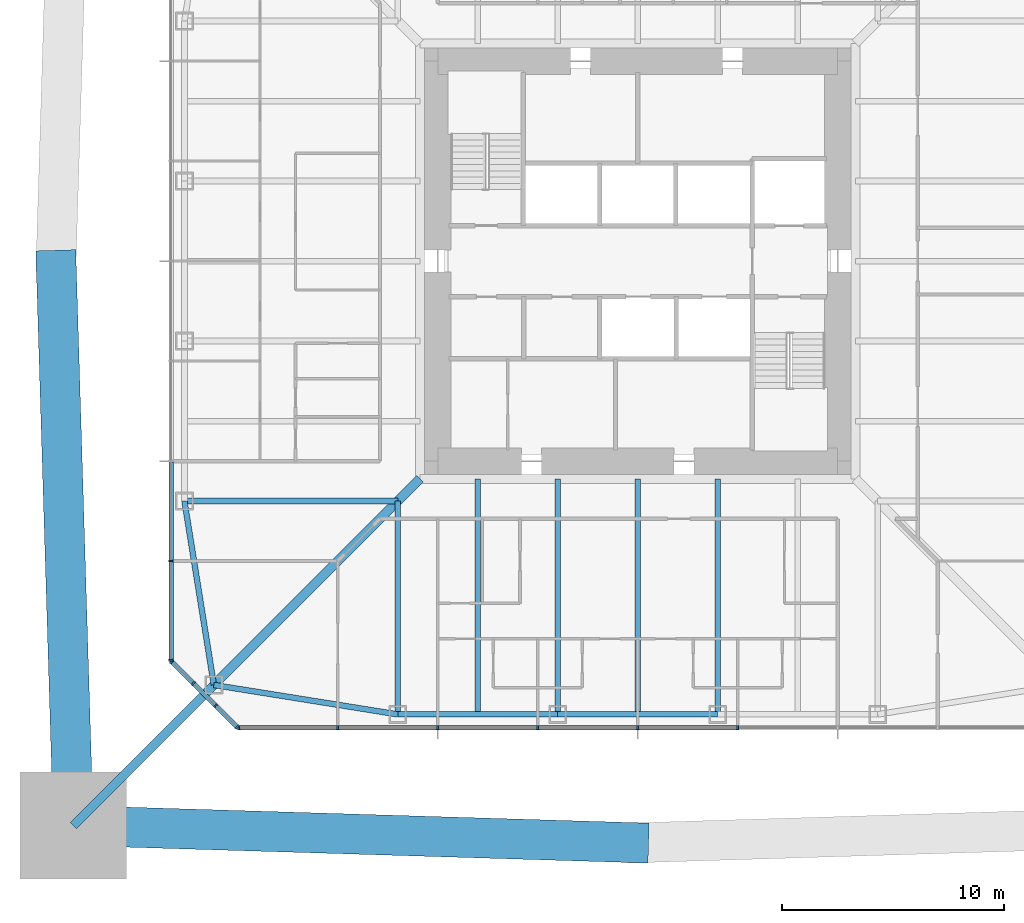
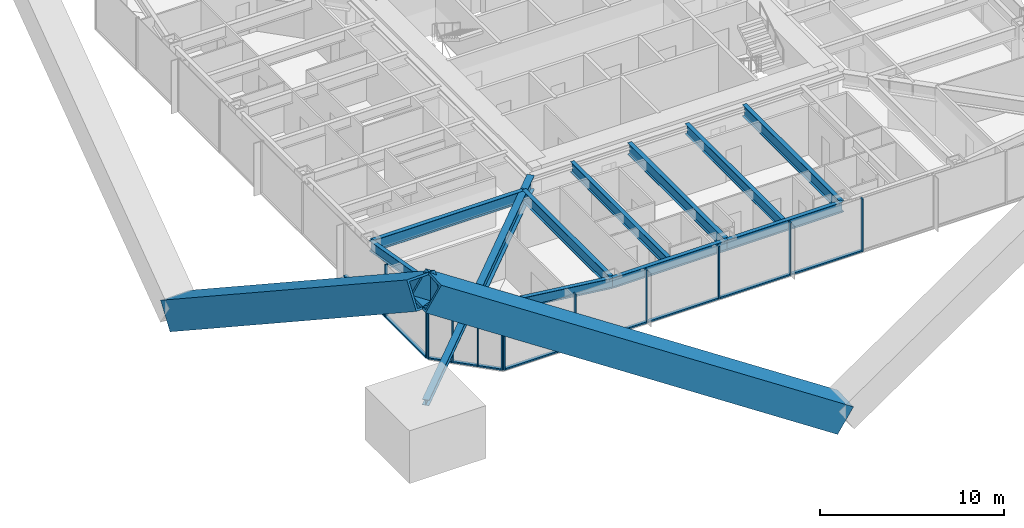
# One storey, part 3 of 28: 25 members, 11 beams, 3 elements without a shape of their own.
"""IFC4 building model written with IfcOpenShell, lengths in metres."""

from ifc_helpers import new_model, si_unit, direction, frame, origin, origin_2d, place, context, subcontext, project, spatial, rectangle, hollow_rectangle, i_section, extrude, material, material_profile, profile_set, type_object, element, aggregate, save


model = new_model("IFC4")

# Units and contexts
model_context = context("Model", 3, precision=1e-05, world=origin(), true_north=direction((0.0, 1.0)))
body_context = subcontext(model_context, "Body", "Model", "MODEL_VIEW")
ifc_project = project(units=[si_unit("LENGTHUNIT", "METRE"), si_unit("AREAUNIT", "SQUARE_METRE"), si_unit("VOLUMEUNIT", "CUBIC_METRE"), si_unit("PLANEANGLEUNIT", "RADIAN"), si_unit("MASSUNIT", "GRAM", prefix="KILO")], contexts=[model_context])

# Site, building, storey
site_placement = place(None, origin())
site = spatial("IfcSite", under=ifc_project, at=site_placement, CompositionType="ELEMENT")
building_placement = place(site_placement, origin())
building = spatial("IfcBuilding", under=site, at=building_placement, Name="Iwan Alto Co-Living Towers", CompositionType="ELEMENT")
storey_placement = place(building_placement, frame((0.0, 0.0, 98.0)))
storey = spatial("IfcBuildingStorey", under=building, at=storey_placement, Name="L26", CompositionType="ELEMENT", Elevation=98.0)

# Curtain wall, members
ifc_material_1 = material(Name="Bronze aluminium unitised frame", Category="aluminium")
curtain_wall_type_1 = type_object("IfcCurtainWallType", Name="CURTAIN WALL CW-A", PredefinedType="NOTDEFINED", material=ifc_material_1)
curtain_wall_1_placement = place(storey_placement, origin())
curtain_wall_1 = element("IfcCurtainWall", 1, at=curtain_wall_1_placement, inside=storey, type_object=curtain_wall_type_1, Name="T1 curtain wall S L26", PredefinedType="NOTDEFINED")
ifc_material_2 = material(Name="Aluminium 6063-T6 bronze anodised", Category="aluminium")
ifc_material_profile_1 = material_profile(ifc_material_2, rectangle(XDim=0.199951171875, YDim=0.080078125, at=origin_2d()), Name="AL 80X200")
ifc_profile_set_1 = profile_set([ifc_material_profile_1], Name="Aluminium 6063-T6 bronze anodised")
member_type_1 = type_object("IfcMemberType", Name="CW-A MULLION 80X200", PredefinedType="MULLION", material=ifc_profile_set_1)
member_1_placement = place(storey_placement, frame((-17.9599609375, -21.0, 0.0), z_axis=(0.0, 0.0, 1.0), x_axis=(0.0, 1.0, 0.0)))
member_1 = element("IfcMember", 2, at=member_1_placement, type_object=member_type_1, Name="CW-A mullion 1", PredefinedType="MULLION", context=body_context, shape_type="SweptSolid", body=[
    extrude(rectangle(XDim=0.199951171875, YDim=0.080078125, at=origin_2d()), origin(), (0.0, 0.0, 1.0), 3.5),
])
member_2_placement = place(storey_placement, frame((-13.5, -21.0, 0.0), z_axis=(0.0, 0.0, 1.0), x_axis=(0.0, 1.0, 0.0)))
member_2 = element("IfcMember", 3, at=member_2_placement, type_object=member_type_1, Name="CW-A mullion 2", PredefinedType="MULLION", context=body_context, shape_type="SweptSolid", body=[
    extrude(rectangle(XDim=0.199951171875, YDim=0.080078125, at=origin_2d()), origin(), (0.0, 0.0, 1.0), 3.5),
])
member_3_placement = place(storey_placement, frame((-9.0, -21.0, 0.0), z_axis=(0.0, 0.0, 1.0), x_axis=(0.0, 1.0, 0.0)))
member_3 = element("IfcMember", 4, at=member_3_placement, type_object=member_type_1, Name="CW-A mullion 3", PredefinedType="MULLION", context=body_context, shape_type="SweptSolid", body=[
    extrude(rectangle(XDim=0.199951171875, YDim=0.080078125, at=origin_2d()), origin(), (0.0, 0.0, 1.0), 3.5),
])
member_4_placement = place(storey_placement, frame((-4.5, -21.0, 0.0), z_axis=(0.0, 0.0, 1.0), x_axis=(0.0, 1.0, 0.0)))
member_4 = element("IfcMember", 5, at=member_4_placement, type_object=member_type_1, Name="CW-A mullion 4", PredefinedType="MULLION", context=body_context, shape_type="SweptSolid", body=[
    extrude(rectangle(XDim=0.199951171875, YDim=0.080078125, at=origin_2d()), origin(), (0.0, 0.0, 1.0), 3.5),
])
member_5_placement = place(storey_placement, frame((0.0, -21.0, 0.0), z_axis=(0.0, 0.0, 1.0), x_axis=(0.0, 1.0, 0.0)))
member_5 = element("IfcMember", 6, at=member_5_placement, type_object=member_type_1, Name="CW-A mullion 5", PredefinedType="MULLION", context=body_context, shape_type="SweptSolid", body=[
    extrude(rectangle(XDim=0.199951171875, YDim=0.080078125, at=origin_2d()), origin(), (0.0, 0.0, 1.0), 3.5),
])
member_6_placement = place(storey_placement, frame((4.5, -21.0, 0.0), z_axis=(0.0, 0.0, 1.0), x_axis=(0.0, 1.0, 0.0)))
member_6 = element("IfcMember", 7, at=member_6_placement, type_object=member_type_1, Name="CW-A mullion 6", PredefinedType="MULLION", context=body_context, shape_type="SweptSolid", body=[
    extrude(rectangle(XDim=0.199951171875, YDim=0.080078125, at=origin_2d()), origin(), (0.0, 0.0, 1.0), 3.5),
])

curtain_wall_2_placement = place(storey_placement, origin())
curtain_wall_2 = element("IfcCurtainWall", 8, at=curtain_wall_2_placement, inside=storey, type_object=curtain_wall_type_1, Name="T1 curtain wall W L26", PredefinedType="NOTDEFINED")
member_7_placement = place(storey_placement, frame((-21.0, -13.5, 0.0), z_axis=(0.0, 0.0, 1.0), x_axis=(1.0, 0.0, 0.0)))
member_7 = element("IfcMember", 9, at=member_7_placement, type_object=member_type_1, Name="CW-A mullion 8", PredefinedType="MULLION", context=body_context, shape_type="SweptSolid", body=[
    extrude(rectangle(XDim=0.199951171875, YDim=0.080078125, at=origin_2d()), origin(), (0.0, 0.0, 1.0), 3.5),
])
member_8_placement = place(storey_placement, frame((-21.0, -17.9599609375, 0.0), z_axis=(0.0, 0.0, 1.0), x_axis=(1.0, 0.0, 0.0)))
member_8 = element("IfcMember", 10, at=member_8_placement, type_object=member_type_1, Name="CW-A mullion 9", PredefinedType="MULLION", context=body_context, shape_type="SweptSolid", body=[
    extrude(rectangle(XDim=0.199951171875, YDim=0.080078125, at=origin_2d()), origin(), (0.0, 0.0, 1.0), 3.5),
])

# Member
ifc_material_3 = material(Name="Aluminium 6063-T6 bronze anodised", Category="aluminium")
ifc_material_profile_2 = material_profile(ifc_material_3, rectangle(XDim=0.199951171875, YDim=0.10009765625, at=origin_2d()), Name="AL 200X100")
ifc_profile_set_2 = profile_set([ifc_material_profile_2], Name="Aluminium 6063-T6 bronze anodised")
member_type_2 = type_object("IfcMemberType", Name="CW-A TRANSOM 200X100", PredefinedType="USERDEFINED", material=ifc_profile_set_2)
member_9_placement = place(storey_placement, frame((-17.919921875, -21.0, 0.050048828125), z_axis=(1.0, 0.0, 0.0), x_axis=(0.0, 1.0, 0.0)))
member_9 = element("IfcMember", 11, at=member_9_placement, type_object=member_type_2, Name="CW-A transom 1.1", ObjectType="TRANSOM", PredefinedType="USERDEFINED", context=body_context, shape_type="SweptSolid", body=[
    extrude(rectangle(XDim=0.199951171875, YDim=0.10009765625, at=origin_2d()), origin(), (0.0, 0.0, 1.0), 4.3798828125),
])

member_10_placement = place(storey_placement, frame((-13.4599609375, -21.0, 0.050048828125), z_axis=(1.0, 0.0, 0.0), x_axis=(0.0, 1.0, 0.0)))
member_10 = element("IfcMember", 12, at=member_10_placement, type_object=member_type_2, Name="CW-A transom 2.1", ObjectType="TRANSOM", PredefinedType="USERDEFINED", context=body_context, shape_type="SweptSolid", body=[
    extrude(rectangle(XDim=0.199951171875, YDim=0.10009765625, at=origin_2d()), origin(), (0.0, 0.0, 1.0), 4.419921875),
])

member_11_placement = place(storey_placement, frame((-8.9599609375, -21.0, 0.050048828125), z_axis=(1.0, 0.0, 0.0), x_axis=(0.0, 1.0, 0.0)))
member_11 = element("IfcMember", 13, at=member_11_placement, type_object=member_type_2, Name="CW-A transom 3.1", ObjectType="TRANSOM", PredefinedType="USERDEFINED", context=body_context, shape_type="SweptSolid", body=[
    extrude(rectangle(XDim=0.199951171875, YDim=0.10009765625, at=origin_2d()), origin(), (0.0, 0.0, 1.0), 4.419921875),
])

member_12_placement = place(storey_placement, frame((-4.4599609375, -21.0, 0.050048828125), z_axis=(1.0, 0.0, 0.0), x_axis=(0.0, 1.0, 0.0)))
member_12 = element("IfcMember", 14, at=member_12_placement, type_object=member_type_2, Name="CW-A transom 4.1", ObjectType="TRANSOM", PredefinedType="USERDEFINED", context=body_context, shape_type="SweptSolid", body=[
    extrude(rectangle(XDim=0.199951171875, YDim=0.10009765625, at=origin_2d()), origin(), (0.0, 0.0, 1.0), 4.419921875),
])

member_13_placement = place(storey_placement, frame((0.0400390625, -21.0, 0.050048828125), z_axis=(1.0, 0.0, 0.0), x_axis=(0.0, 1.0, 0.0)))
member_13 = element("IfcMember", 15, at=member_13_placement, type_object=member_type_2, Name="CW-A transom 5.1", ObjectType="TRANSOM", PredefinedType="USERDEFINED", context=body_context, shape_type="SweptSolid", body=[
    extrude(rectangle(XDim=0.199951171875, YDim=0.10009765625, at=origin_2d()), origin(), (0.0, 0.0, 1.0), 4.419921875),
])

aggregate(curtain_wall_1, [member_1, member_2, member_3, member_4, member_5, member_6, member_9, member_10, member_11, member_12, member_13])

member_14_placement = place(storey_placement, frame((-21.0, -9.0400390625, 0.050048828125), z_axis=(0.0, -1.0, 0.0), x_axis=(1.0, 0.0, 0.0)))
member_14 = element("IfcMember", 16, at=member_14_placement, type_object=member_type_2, Name="CW-A transom 7.1", ObjectType="TRANSOM", PredefinedType="USERDEFINED", context=body_context, shape_type="SweptSolid", body=[
    extrude(rectangle(XDim=0.199951171875, YDim=0.10009765625, at=origin_2d()), origin(), (0.0, 0.0, 1.0), 4.419921875),
])

member_15_placement = place(storey_placement, frame((-21.0, -13.5400390625, 0.050048828125), z_axis=(0.0, -1.0, 0.0), x_axis=(1.0, 0.0, 0.0)))
member_15 = element("IfcMember", 17, at=member_15_placement, type_object=member_type_2, Name="CW-A transom 8.1", ObjectType="TRANSOM", PredefinedType="USERDEFINED", context=body_context, shape_type="SweptSolid", body=[
    extrude(rectangle(XDim=0.199951171875, YDim=0.10009765625, at=origin_2d()), origin(), (0.0, 0.0, 1.0), 4.3798828125),
])

aggregate(curtain_wall_2, [member_7, member_8, member_14, member_15])

# Curtain wall, members
ifc_material_4 = material(Name="Bronze aluminium unitised frame", Category="aluminium")
curtain_wall_type_2 = type_object("IfcCurtainWallType", Name="CURTAIN WALL CW-B", PredefinedType="NOTDEFINED", material=ifc_material_4)
curtain_wall_3_placement = place(storey_placement, origin())
curtain_wall_3 = element("IfcCurtainWall", 18, at=curtain_wall_3_placement, inside=storey, type_object=curtain_wall_type_2, Name="T1 chamfer curtain wall SW L26", PredefinedType="NOTDEFINED")
ifc_material_5 = material(Name="Aluminium 6063-T6 bronze anodised", Category="aluminium")
ifc_material_profile_3 = material_profile(ifc_material_5, rectangle(XDim=0.199951171875, YDim=0.080078125, at=origin_2d()), Name="AL 80X200")
ifc_profile_set_3 = profile_set([ifc_material_profile_3], Name="Aluminium 6063-T6 bronze anodised")
member_type_3 = type_object("IfcMemberType", Name="CW-B MULLION 80X200", PredefinedType="MULLION", material=ifc_profile_set_3)
member_16_placement = place(storey_placement, frame((-20.9716796875, -18.0283203125, 0.0), z_axis=(0.0, 0.0, 1.0), x_axis=(0.707106781187, 0.707106781187, 0.0)))
member_16 = element("IfcMember", 19, at=member_16_placement, type_object=member_type_3, Name="CW-B mullion 1", PredefinedType="MULLION", context=body_context, shape_type="SweptSolid", body=[
    extrude(rectangle(XDim=0.199951171875, YDim=0.080078125, at=origin_2d()), origin(), (0.0, 0.0, 1.0), 3.5),
])
member_17_placement = place(storey_placement, frame((-20.0, -19.0, 0.0), z_axis=(0.0, 0.0, 1.0), x_axis=(0.707106781187, 0.707106781187, 0.0)))
member_17 = element("IfcMember", 20, at=member_17_placement, type_object=member_type_3, Name="CW-B mullion 2", PredefinedType="MULLION", context=body_context, shape_type="SweptSolid", body=[
    extrude(rectangle(XDim=0.199951171875, YDim=0.080078125, at=origin_2d()), origin(), (0.0, 0.0, 1.0), 3.5),
])
member_18_placement = place(storey_placement, frame((-19.0, -20.0, 0.0), z_axis=(0.0, 0.0, 1.0), x_axis=(0.707106781187, 0.707106781187, 0.0)))
member_18 = element("IfcMember", 21, at=member_18_placement, type_object=member_type_3, Name="CW-B mullion 3", PredefinedType="MULLION", context=body_context, shape_type="SweptSolid", body=[
    extrude(rectangle(XDim=0.199951171875, YDim=0.080078125, at=origin_2d()), origin(), (0.0, 0.0, 1.0), 3.5),
])
member_19_placement = place(storey_placement, frame((-18.0283203125, -20.9716796875, 0.0), z_axis=(0.0, 0.0, 1.0), x_axis=(0.707106781187, 0.707106781187, 0.0)))
member_19 = element("IfcMember", 22, at=member_19_placement, type_object=member_type_3, Name="CW-B mullion 4", PredefinedType="MULLION", context=body_context, shape_type="SweptSolid", body=[
    extrude(rectangle(XDim=0.199951171875, YDim=0.080078125, at=origin_2d()), origin(), (0.0, 0.0, 1.0), 3.5),
])
ifc_material_6 = material(Name="Aluminium 6063-T6 bronze anodised", Category="aluminium")
ifc_material_profile_4 = material_profile(ifc_material_6, rectangle(XDim=0.199951171875, YDim=0.10009765625, at=origin_2d()), Name="AL 200X100")
ifc_profile_set_4 = profile_set([ifc_material_profile_4], Name="Aluminium 6063-T6 bronze anodised")
member_type_4 = type_object("IfcMemberType", Name="CW-B TRANSOM 200X100", PredefinedType="USERDEFINED", material=ifc_profile_set_4)
member_20_placement = place(storey_placement, frame((-20.943359375, -18.056640625, 0.050048828125), z_axis=(0.707106781187, -0.707106781187, 0.0), x_axis=(0.707106781187, 0.707106781187, 0.0)))
member_20 = element("IfcMember", 23, at=member_20_placement, type_object=member_type_4, Name="CW-B transom 1.1", ObjectType="TRANSOM", PredefinedType="USERDEFINED", context=body_context, shape_type="SweptSolid", body=[
    extrude(rectangle(XDim=0.199951171875, YDim=0.10009765625, at=origin_2d()), origin(), (0.0, 0.0, 1.0), 1.2939453125),
])
member_21_placement = place(storey_placement, frame((-19.9716796875, -19.0283203125, 0.050048828125), z_axis=(0.707106781187, -0.707106781187, 0.0), x_axis=(0.707106781187, 0.707106781187, 0.0)))
member_21 = element("IfcMember", 24, at=member_21_placement, type_object=member_type_4, Name="CW-B transom 2.1", ObjectType="TRANSOM", PredefinedType="USERDEFINED", context=body_context, shape_type="SweptSolid", body=[
    extrude(rectangle(XDim=0.199951171875, YDim=0.10009765625, at=origin_2d()), origin(), (0.0, 0.0, 1.0), 1.334228515625),
])
member_22_placement = place(storey_placement, frame((-18.9716796875, -20.0283203125, 0.050048828125), z_axis=(0.707106781187, -0.707106781187, 0.0), x_axis=(0.707106781187, 0.707106781187, 0.0)))
member_22 = element("IfcMember", 25, at=member_22_placement, type_object=member_type_4, Name="CW-B transom 3.1", ObjectType="TRANSOM", PredefinedType="USERDEFINED", context=body_context, shape_type="SweptSolid", body=[
    extrude(rectangle(XDim=0.199951171875, YDim=0.10009765625, at=origin_2d()), origin(), (0.0, 0.0, 1.0), 1.2939453125),
])
aggregate(curtain_wall_3, [member_16, member_17, member_18, member_19, member_20, member_21, member_22])

# Beams
ifc_material_7 = material(Name="Steel ASTM A992 Gr 50", Category="steel")
ifc_material_profile_5 = material_profile(ifc_material_7, i_section(OverallWidth=0.419189453125, OverallDepth=0.927001953125, WebThickness=0.019287109375, FlangeThickness=0.031982421875, at=origin_2d()), Name="W36X231")
ifc_profile_set_5 = profile_set([ifc_material_profile_5], Name="Steel ASTM A992 Gr 50")
beam_type_1 = type_object("IfcBeamType", Name="T1 CORNER GIRDER W36X231", PredefinedType="BEAM", material=ifc_profile_set_5)
beam_1_placement = place(storey_placement, frame((-19.07568359375, -19.07568359375, 2.806396484375), z_axis=(0.707106781187, 0.707106781187, 0.0), x_axis=(-0.707106781187, 0.707106781187, 0.0)))
element("IfcBeam", 26, at=beam_1_placement, inside=storey, type_object=beam_type_1, Name="T1 corner girder CSW L27", PredefinedType="BEAM", context=body_context, shape_type="SweptSolid", body=[
    extrude(i_section(OverallWidth=0.419189453125, OverallDepth=0.927001953125, WebThickness=0.019287109375, FlangeThickness=0.031982421875, at=origin_2d()), origin(), (0.0, 0.0, 1.0), 13.11865234375),
])
ifc_material_8 = material(Name="Steel ASTM A992 Gr 50", Category="steel")
ifc_material_profile_6 = material_profile(ifc_material_8, i_section(OverallWidth=0.25390625, OverallDepth=0.683349609375, WebThickness=0.012451171875, FlangeThickness=0.018798828125, at=origin_2d()), Name="W27X94")
ifc_profile_set_6 = profile_set([ifc_material_profile_6], Name="Steel ASTM A992 Gr 50")
beam_type_2 = type_object("IfcBeamType", Name="T1 EDGE BEAM W27X94", PredefinedType="BEAM", material=ifc_profile_set_6)
beam_2_placement = place(storey_placement, frame((-19.07568359375, -19.07568359375, 2.928466796875), z_axis=(0.987438450439, -0.158004134737, 0.0), x_axis=(0.158004134737, 0.987438450439, 0.0)))
element("IfcBeam", 27, at=beam_2_placement, inside=storey, type_object=beam_type_2, Name="T1 edge beam CSW L27", PredefinedType="BEAM", context=body_context, shape_type="SweptSolid", body=[
    extrude(i_section(OverallWidth=0.25390625, OverallDepth=0.683349609375, WebThickness=0.012451171875, FlangeThickness=0.018798828125, at=origin_2d()), origin(), (0.0, 0.0, 1.0), 8.380859375),
])
beam_3_placement = place(storey_placement, frame((-10.800048828125, -20.39990234375, 2.928466796875), z_axis=(1.0, 0.0, 0.0), x_axis=(0.0, 1.0, 0.0)))
element("IfcBeam", 28, at=beam_3_placement, inside=storey, type_object=beam_type_2, Name="T1 edge beam S1 L27", PredefinedType="BEAM", context=body_context, shape_type="SweptSolid", body=[
    extrude(i_section(OverallWidth=0.25390625, OverallDepth=0.683349609375, WebThickness=0.012451171875, FlangeThickness=0.018798828125, at=origin_2d()), origin(), (0.0, 0.0, 1.0), 7.199951171875),
])
beam_4_placement = place(storey_placement, frame((-3.60009765625, -20.39990234375, 2.928466796875), z_axis=(1.0, 0.0, 0.0), x_axis=(0.0, 1.0, 0.0)))
element("IfcBeam", 29, at=beam_4_placement, inside=storey, type_object=beam_type_2, Name="T1 edge beam S2 L27", PredefinedType="BEAM", context=body_context, shape_type="SweptSolid", body=[
    extrude(i_section(OverallWidth=0.25390625, OverallDepth=0.683349609375, WebThickness=0.012451171875, FlangeThickness=0.018798828125, at=origin_2d()), origin(), (0.0, 0.0, 1.0), 7.2001953125),
])
beam_5_placement = place(storey_placement, frame((-20.39990234375, -10.800048828125, 2.928466796875), z_axis=(0.158004134737, -0.987438450439, 0.0), x_axis=(0.987438450439, 0.158004134737, 0.0)))
element("IfcBeam", 30, at=beam_5_placement, inside=storey, type_object=beam_type_2, Name="T1 edge beam W4 L27", PredefinedType="BEAM", context=body_context, shape_type="SweptSolid", body=[
    extrude(i_section(OverallWidth=0.25390625, OverallDepth=0.683349609375, WebThickness=0.012451171875, FlangeThickness=0.018798828125, at=origin_2d()), origin(), (0.0, 0.0, 1.0), 8.380859375),
])

# Members
ifc_material_9 = material(Name="Steel ASTM A572 Gr 42", Category="steel")
ifc_material_profile_7 = material_profile(ifc_material_9, hollow_rectangle(XDim=1.800048828125, YDim=1.800048828125, WallThickness=0.1298828125, at=origin_2d()), Name="BOX 1800X1800X130")
ifc_profile_set_7 = profile_set([ifc_material_profile_7], Name="Steel ASTM A572 Gr 42")
member_type_5 = type_object("IfcMemberType", Name="T1 MEGA BRACE BOX 1800X1800X130", PredefinedType="BRACE", material=ifc_profile_set_7)
for number, where, z_axis, x_axis, name in (
    (31, (0.0, -26.175537109375, -5.98095703125), (-0.838605576524, 0.025608430733, 0.544136835087), (-0.030522691262, -0.999534074116, 0.0), "T1 mega brace Z2A S 2 upper"),
    (32, (-26.175537109375, 0.0, -5.98095703125), (0.025608430733, -0.838605576524, 0.544136835087), (0.999534074116, 0.030522691262, 0.0), "T1 mega brace Z2A W 1 upper"),
):
    element("IfcMember", number, at=place(storey_placement, frame(where, z_axis=z_axis, x_axis=x_axis)), inside=storey, type_object=member_type_5, Name=name, PredefinedType="BRACE", context=body_context, shape_type="SweptSolid", body=[
        extrude(hollow_rectangle(XDim=1.800048828125, YDim=1.800048828125, WallThickness=0.1298828125, at=origin_2d()), origin(), (0.0, 0.0, 1.0), 30.288330078125),
    ])
ifc_material_10 = material(Name="Steel ASTM A992 Gr 50", Category="steel")
ifc_material_profile_8 = material_profile(ifc_material_10, i_section(OverallWidth=0.393798828125, OverallDepth=0.3759765625, WebThickness=0.017333984375, FlangeThickness=0.027587890625, at=origin_2d()), Name="W14X145")
ifc_profile_set_8 = profile_set([ifc_material_profile_8], Name="Steel ASTM A992 Gr 50")
member_type_6 = type_object("IfcMemberType", Name="T1 MEGA COLUMN FLOOR TIE W14X145", PredefinedType="STRUT", material=ifc_profile_set_8)
member_23_placement = place(storey_placement, frame((-25.39990234375, -25.39990234375, 3.08203125), z_axis=(0.707106781187, 0.707106781187, 0.0), x_axis=(-0.707106781187, 0.707106781187, 0.0)))
element("IfcMember", 33, at=member_23_placement, inside=storey, type_object=member_type_6, Name="T1 mega column floor tie SW L27", PredefinedType="STRUT", context=body_context, shape_type="SweptSolid", body=[
    extrude(i_section(OverallWidth=0.393798828125, OverallDepth=0.3759765625, WebThickness=0.017333984375, FlangeThickness=0.027587890625, at=origin_2d()), origin(), (0.0, 0.0, 1.0), 8.94384765625),
])

# Beams
ifc_material_11 = material(Name="Steel ASTM A992 Gr 50", Category="steel")
ifc_material_profile_9 = material_profile(ifc_material_11, i_section(OverallWidth=0.2666015625, OverallDepth=0.761962890625, WebThickness=0.014404296875, FlangeThickness=0.021484375, at=origin_2d()), Name="W30X116")
ifc_profile_set_9 = profile_set([ifc_material_profile_9], Name="Steel ASTM A992 Gr 50")
beam_type_3 = type_object("IfcBeamType", Name="T1 RADIAL BEAM W30X116", PredefinedType="BEAM", material=ifc_profile_set_9)
beam_6_placement = place(storey_placement, frame((-10.800048828125, -20.39990234375, 2.888916015625), z_axis=(0.0, 1.0, 0.0), x_axis=(-1.0, 0.0, 0.0)))
element("IfcBeam", 34, at=beam_6_placement, inside=storey, type_object=beam_type_3, Name="T1 radial beam S1 L27", PredefinedType="BEAM", context=body_context, shape_type="SweptSolid", body=[
    extrude(i_section(OverallWidth=0.2666015625, OverallDepth=0.761962890625, WebThickness=0.014404296875, FlangeThickness=0.021484375, at=origin_2d()), origin(), (0.0, 0.0, 1.0), 9.599853515625),
])
for number, where, z_axis, x_axis, name in (
    (35, (-3.60009765625, -20.39990234375, 2.888916015625), (0.0, 1.0, 0.0), (-1.0, 0.0, 0.0), "T1 radial beam S2 L27"),
    (36, (3.60009765625, -20.39990234375, 2.888916015625), (0.0, 1.0, 0.0), (-1.0, 0.0, 0.0), "T1 radial beam S3 L27"),
):
    element("IfcBeam", number, at=place(storey_placement, frame(where, z_axis=z_axis, x_axis=x_axis)), inside=storey, type_object=beam_type_3, Name=name, PredefinedType="BEAM", context=body_context, shape_type="SweptSolid", body=[
        extrude(i_section(OverallWidth=0.2666015625, OverallDepth=0.761962890625, WebThickness=0.014404296875, FlangeThickness=0.021484375, at=origin_2d()), origin(), (0.0, 0.0, 1.0), 10.6005859375),
    ])
beam_7_placement = place(storey_placement, frame((-20.39990234375, -10.800048828125, 2.888916015625), z_axis=(1.0, 0.0, 0.0), x_axis=(0.0, 1.0, 0.0)))
element("IfcBeam", 37, at=beam_7_placement, inside=storey, type_object=beam_type_3, Name="T1 radial beam W4 L27", PredefinedType="BEAM", context=body_context, shape_type="SweptSolid", body=[
    extrude(i_section(OverallWidth=0.2666015625, OverallDepth=0.761962890625, WebThickness=0.014404296875, FlangeThickness=0.021484375, at=origin_2d()), origin(), (0.0, 0.0, 1.0), 9.599853515625),
])
ifc_material_12 = material(Name="Steel ASTM A992 Gr 50", Category="steel")
ifc_material_profile_10 = material_profile(ifc_material_12, i_section(OverallWidth=0.25390625, OverallDepth=0.683349609375, WebThickness=0.012451171875, FlangeThickness=0.018798828125, at=origin_2d()), Name="W27X94")
ifc_profile_set_10 = profile_set([ifc_material_profile_10], Name="Steel ASTM A992 Gr 50")
beam_type_4 = type_object("IfcBeamType", Name="T1 SECONDARY BEAM W27X94", PredefinedType="JOIST", material=ifc_profile_set_10)
for number, where, z_axis, x_axis, name in (
    (38, (-7.199951171875, -20.39990234375, 2.928466796875), (0.0, 1.0, 0.0), (-1.0, 0.0, 0.0), "T1 secondary beam S1 L27"),
    (39, (0.0, -20.39990234375, 2.928466796875), (0.0, 1.0, 0.0), (-1.0, 0.0, 0.0), "T1 secondary beam S2 L27"),
):
    element("IfcBeam", number, at=place(storey_placement, frame(where, z_axis=z_axis, x_axis=x_axis)), inside=storey, type_object=beam_type_4, Name=name, PredefinedType="JOIST", context=body_context, shape_type="SweptSolid", body=[
        extrude(i_section(OverallWidth=0.25390625, OverallDepth=0.683349609375, WebThickness=0.012451171875, FlangeThickness=0.018798828125, at=origin_2d()), origin(), (0.0, 0.0, 1.0), 10.6005859375),
    ])

save(model, "model.ifc")
